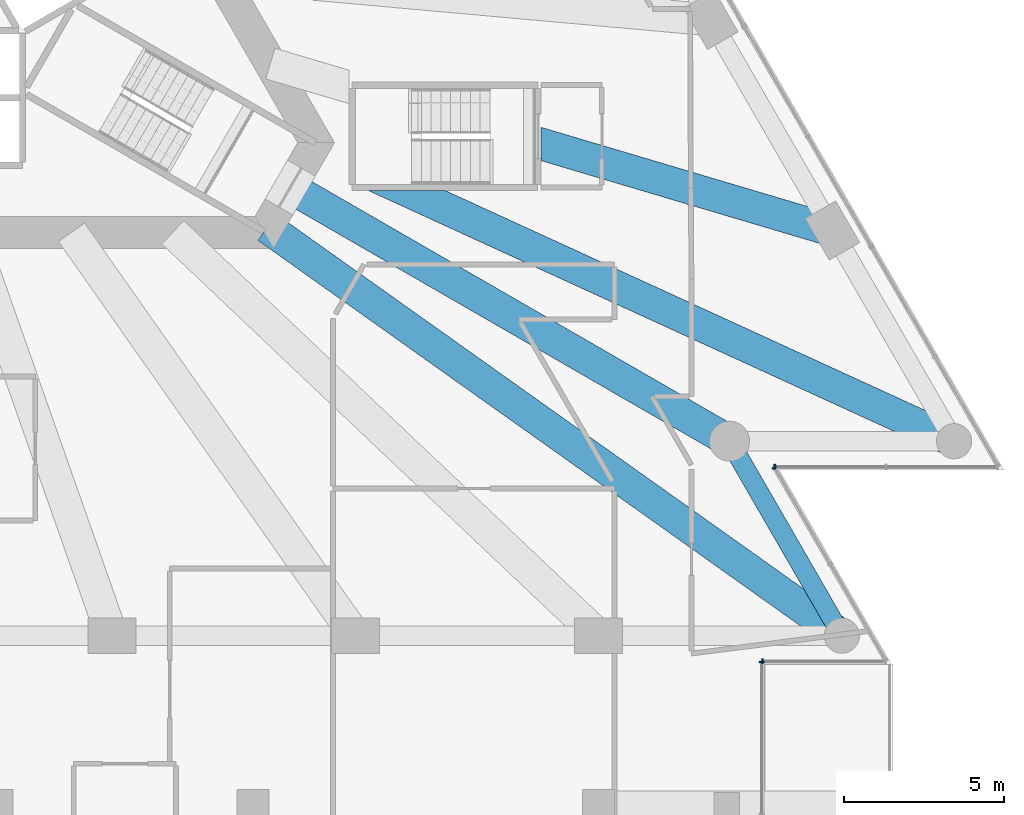
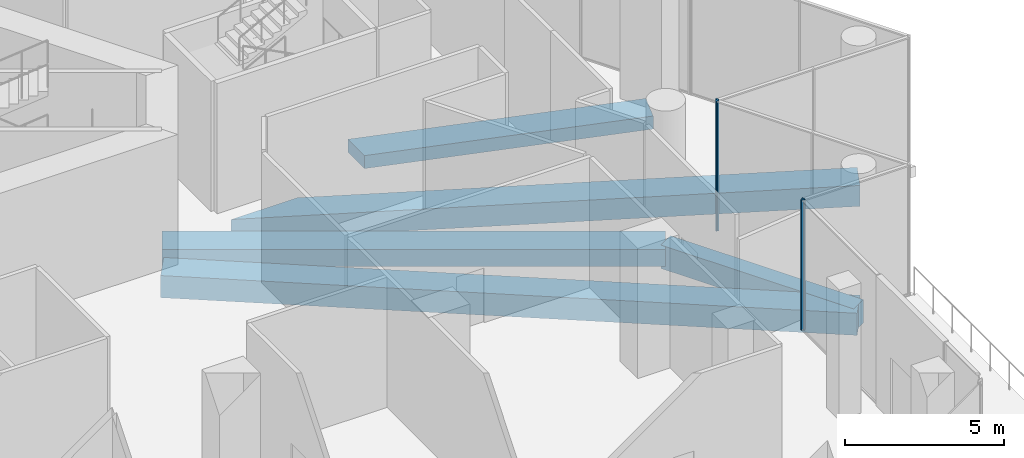
# One storey, part 9 of 29: 5 beams, 4 members, 4 elements without a shape of their own.
"""IFC4 building model written with IfcOpenShell, lengths in metres."""

import ifcopenshell
import ifcopenshell.guid

model = None  # the IFC model being written
_history = None  # IfcOwnerHistory: only IFC2X3 demands one
_inside = {}  # id of a spatial element -> (the spatial element, [elements in it])
_under = {}  # id of a project, library or spatial element -> (it, [spatial elements below it])
_declared = {}  # id of a project -> (the project, [libraries it declares])
_typed = {}  # id of a type object -> (the type object, [elements of that type])
_made_of = {}  # id of a material, layer set ... -> (it, [elements and type objects made of it])


def new_model(schema):
    """Start an empty IFC model of exactly this schema.

    Asked for "IFC4X3", IfcOpenShell would pick the latest addendum, in which some entities
    have other attributes; the version numbers below select the first issue.
    IFC2X3 requires an IfcOwnerHistory on every rooted entity: one is made here for all.
    """
    global model, _history
    if schema == "IFC4X3":
        model = ifcopenshell.file(schema_version=(4, 3, 0, 0))
    else:
        model = ifcopenshell.file(schema=schema)
    _inside.clear()
    _under.clear()
    _declared.clear()
    _typed.clear()
    _made_of.clear()
    _history = None
    if model.schema == "IFC2X3":
        org = make("IfcOrganization", Name="unknown")
        user = make(
            "IfcPersonAndOrganization",
            ThePerson=make("IfcPerson", FamilyName="unknown"),
            TheOrganization=org,
        )
        app = make(
            "IfcApplication",
            ApplicationDeveloper=org,
            Version="unknown",
            ApplicationFullName="unknown",
            ApplicationIdentifier="unknown",
        )
        _history = make(
            "IfcOwnerHistory",
            OwningUser=user,
            OwningApplication=app,
            ChangeAction="ADDED",
            CreationDate=0,
        )
    return model


def make(cls, **values):
    """One entity of the class cls with the attributes given. An attribute that is None is left unset."""
    return model.create_entity(
        cls, **{name: value for name, value in values.items() if value is not None}
    )


def rooted(cls, **values):
    """An entity with a GlobalId (a new one), such as an element, a storey or a relation."""
    return make(cls, GlobalId=ifcopenshell.guid.new(), OwnerHistory=_history, **values)


def si_unit(unit_type, name, prefix=None):
    """IfcSIUnit, for example si_unit("LENGTHUNIT", "METRE", prefix="MILLI")."""
    return make("IfcSIUnit", UnitType=unit_type, Prefix=prefix, Name=name)


def assignment(units):
    """IfcUnitAssignment: the units of a project."""
    return None if units is None else make("IfcUnitAssignment", Units=units)


def point(xyz):
    """IfcCartesianPoint."""
    return None if xyz is None else make("IfcCartesianPoint", Coordinates=xyz)


def direction(xyz):
    """IfcDirection."""
    return None if xyz is None else make("IfcDirection", DirectionRatios=xyz)


def frame(location, z_axis=None, x_axis=None):
    """IfcAxis2Placement3D, a coordinate frame: its origin and axes. An axis left out is left unset."""
    return make(
        "IfcAxis2Placement3D",
        Location=point(location),
        Axis=direction(z_axis),
        RefDirection=direction(x_axis),
    )


def frame_2d(location, x_axis=None):
    """IfcAxis2Placement2D, a coordinate frame in the plane: its origin and x axis."""
    return make(
        "IfcAxis2Placement2D", Location=point(location), RefDirection=direction(x_axis)
    )


def origin():
    """The frame at (0, 0, 0) with its axes left unset."""
    return frame((0.0, 0.0, 0.0))


def origin_2d():
    """The frame at (0, 0) in the plane with its x axis left unset."""
    return frame_2d((0.0, 0.0))


def place(relative_to, where):
    """IfcLocalPlacement: puts the frame where relative to a parent placement (None: the world)."""
    return make(
        "IfcLocalPlacement", PlacementRelTo=relative_to, RelativePlacement=where
    )


def context(
    kind, dimensions, precision=None, world=None, true_north=None, identifier=None
):
    """IfcGeometricRepresentationContext, for example the 3D "Model" context."""
    return make(
        "IfcGeometricRepresentationContext",
        ContextIdentifier=identifier,
        ContextType=kind,
        CoordinateSpaceDimension=dimensions,
        Precision=precision,
        WorldCoordinateSystem=world,
        TrueNorth=true_north,
    )


def subcontext(parent, identifier, kind, view, scale=None):
    """IfcGeometricRepresentationSubContext, for example "Body" below "Model"."""
    return make(
        "IfcGeometricRepresentationSubContext",
        ContextIdentifier=identifier,
        ContextType=kind,
        ParentContext=parent,
        TargetScale=scale,
        TargetView=view,
    )


def project(units=None, contexts=None):
    """IfcProject with its units and contexts."""
    return rooted(
        "IfcProject",
        Name="project",
        RepresentationContexts=contexts,
        UnitsInContext=assignment(units),
    )


def spatial(cls, under=None, at=None, **own):
    """A site, building, storey or space (cls), placed at a placement, below another one or the project."""
    s = rooted(cls, ObjectPlacement=at, **own)
    if under is not None:
        _under.setdefault(under.id(), (under, []))[1].append(s)
    return s


def profile(cls, at=None, kind="AREA", **sizes):
    """A parametric profile (cls). Its sizes go by their IFC names, for example OverallWidth=200.0."""
    return make(cls, ProfileType=kind, Position=at, **sizes)


def rectangle(**sizes):
    """IfcRectangleProfileDef."""
    return profile("IfcRectangleProfileDef", **sizes)


def extrude(swept, where, along, depth):
    """IfcExtrudedAreaSolid: the profile swept, set in the frame where, extruded along a direction by depth."""
    return make(
        "IfcExtrudedAreaSolid",
        SweptArea=swept,
        Position=where,
        ExtrudedDirection=direction(along),
        Depth=depth,
    )


def clip(a, b, op="DIFFERENCE"):
    """IfcBooleanClippingResult: the solid a cut by the half space b."""
    return make(
        "IfcBooleanClippingResult", Operator=op, FirstOperand=a, SecondOperand=b
    )


def halfspace(plane, agree):
    """IfcHalfSpaceSolid: all space on one side of the plane z = 0 of the frame plane."""
    return make(
        "IfcHalfSpaceSolid",
        BaseSurface=make("IfcPlane", Position=plane),
        AgreementFlag=agree,
    )


def shape(context_of_items, identifier, shape_type, items):
    """IfcShapeRepresentation: the items that make up one representation, for example the "Body"."""
    return make(
        "IfcShapeRepresentation",
        ContextOfItems=context_of_items,
        RepresentationIdentifier=identifier,
        RepresentationType=shape_type,
        Items=items,
    )


def material(Name=None, Category=None):
    """IfcMaterial."""
    return make("IfcMaterial", Name=Name, Category=Category)


def layer(
    of_material, thickness, ventilated=None, Name=None, Category=None, Priority=None
):
    """IfcMaterialLayer: one layer of a wall or slab, of a material (None: an air gap)."""
    return make(
        "IfcMaterialLayer",
        Material=of_material,
        LayerThickness=thickness,
        IsVentilated=ventilated,
        Name=Name,
        Category=Category,
        Priority=Priority,
    )


def layer_set(layers, Name=None):
    """IfcMaterialLayerSet."""
    return make("IfcMaterialLayerSet", MaterialLayers=layers, LayerSetName=Name)


def material_profile(
    of_material, cross_section, Name=None, Category=None, Priority=None
):
    """IfcMaterialProfile: a cross section and its material."""
    return make(
        "IfcMaterialProfile",
        Name=Name,
        Material=of_material,
        Profile=cross_section,
        Priority=Priority,
        Category=Category,
    )


def profile_set(profiles, Name=None, composite=None):
    """IfcMaterialProfileSet."""
    return make(
        "IfcMaterialProfileSet",
        Name=Name,
        MaterialProfiles=profiles,
        CompositeProfile=composite,
    )


def made_of(thing, what):
    """Note that an element or type object is made of a material, layer set ...; save() writes the relation."""
    if what is not None:
        _made_of.setdefault(what.id(), (what, []))[1].append(thing)
    return thing


def type_object(cls, material=None, **own):
    """A type object (cls), such as IfcWallType, which elements share."""
    return made_of(rooted(cls, **own), material)


def element(
    cls,
    number,
    at=None,
    inside=None,
    cuts=None,
    type_object=None,
    material=None,
    context=None,
    identifier="Body",
    shape_type=None,
    held_by="IfcProductDefinitionShape",
    body=None,
    shapes=None,
    **own,
):
    """One element of the class cls, such as IfcWall. Its Tag is "e" and its number.

    at: its placement. inside: the storey or other place that contains it. cuts: it is an
    opening in that element (IfcRelVoidsElement). A single representation is given by context,
    identifier, shape_type and body (its items); several are given by shapes. held_by: the class
    of the entity that holds the representations. save() writes the other relations.
    """
    e = rooted(cls, Tag="e%d" % number, ObjectPlacement=at, **own)
    if body is not None:
        shapes = [shape(context, identifier, shape_type, body)]
    if shapes is not None:
        e.Representation = make(held_by, Representations=shapes)
    if inside is not None:
        _inside.setdefault(inside.id(), (inside, []))[1].append(e)
    if cuts is not None:
        rooted(
            "IfcRelVoidsElement", RelatingBuildingElement=cuts, RelatedOpeningElement=e
        )
    if type_object is not None:
        _typed.setdefault(type_object.id(), (type_object, []))[1].append(e)
    return made_of(e, material)


def aggregate(whole, parts):
    """IfcRelAggregates: a whole, such as a stair, and the parts it consists of."""
    return rooted("IfcRelAggregates", RelatingObject=whole, RelatedObjects=parts)


def save(model, path):
    """Write the relations noted so far, then the file.

    IfcRelAggregates (storeys below a building ...), IfcRelContainedInSpatialStructure (elements
    in a storey), IfcRelDefinesByType, IfcRelAssociatesMaterial and IfcRelDeclares: one each for
    every whole, place, type object, material and project.
    """
    for whole, parts in _under.values():
        aggregate(whole, parts)
    for where, things in _inside.values():
        rooted(
            "IfcRelContainedInSpatialStructure",
            RelatedElements=things,
            RelatingStructure=where,
        )
    for kind, things in _typed.values():
        rooted("IfcRelDefinesByType", RelatedObjects=things, RelatingType=kind)
    for what, things in _made_of.values():
        rooted("IfcRelAssociatesMaterial", RelatedObjects=things, RelatingMaterial=what)
    for by, libraries in _declared.values():
        rooted("IfcRelDeclares", RelatingContext=by, RelatedDefinitions=libraries)
    model.write(path)


model = new_model("IFC4")

# Units and contexts
model_context = context("Model", 3, precision=1e-05, world=origin(), true_north=direction((0.0, 1.0)))
body_context = subcontext(model_context, "Body", "Model", "MODEL_VIEW")
ifc_project = project(units=[si_unit("LENGTHUNIT", "METRE"), si_unit("AREAUNIT", "SQUARE_METRE"), si_unit("VOLUMEUNIT", "CUBIC_METRE"), si_unit("PLANEANGLEUNIT", "RADIAN"), si_unit("MASSUNIT", "GRAM", prefix="KILO")], contexts=[model_context])

# Site, building, storey
site_placement = place(None, origin())
site = spatial("IfcSite", under=ifc_project, at=site_placement, CompositionType="ELEMENT")
building_placement = place(site_placement, origin())
building = spatial("IfcBuilding", under=site, at=building_placement, Name="Triada Interchange Tower", CompositionType="ELEMENT")
storey_placement = place(building_placement, frame((0.0, 0.0, 19.89990234375)))
storey = spatial("IfcBuildingStorey", under=building, at=storey_placement, Name="L03", CompositionType="ELEMENT", Elevation=19.89990234375)

# Curtain wall, member
ifc_material_1 = material(Name="Aluminium framed glazing", Category="aluminium")
ifc_layer = layer(ifc_material_1, 0.199951171875)
ifc_layer_set = layer_set([ifc_layer], Name="Curtain wall Retail shopfront")
curtain_wall_type = type_object("IfcCurtainWallType", Name="Curtain wall Retail shopfront", PredefinedType="NOTDEFINED", material=ifc_layer_set)
curtain_wall_1_placement = place(storey_placement, origin())
curtain_wall_1 = element("IfcCurtainWall", 1, at=curtain_wall_1_placement, inside=storey, type_object=curtain_wall_type, Name="Retail shopfront CW009 L03", PredefinedType="NOTDEFINED")
ifc_material_2 = material(Name="Aluminium", Category="aluminium")
ifc_material_profile_1 = material_profile(ifc_material_2, rectangle(XDim=0.14990234375, YDim=0.050048828125, at=origin_2d()), Name="Aluminium mullion")
ifc_profile_set_1 = profile_set([ifc_material_profile_1], Name="Aluminium")
member_type = type_object("IfcMemberType", Name="Mullion Retail shopfront 150x50", PredefinedType="MULLION", material=ifc_profile_set_1)
member_1_placement = place(storey_placement, frame((27.89990234375, -22.425048828125, 0.0), z_axis=(0.0, 0.0, 1.0), x_axis=(-1.0, 0.0, 0.0)))
member_1 = element("IfcMember", 2, at=member_1_placement, type_object=member_type, Name="CW009 mullion 2", PredefinedType="MULLION", context=body_context, shape_type="SweptSolid", body=[
    extrude(rectangle(XDim=0.14990234375, YDim=0.050048828125, at=origin_2d()), origin(), (0.0, 0.0, 1.0), 5.0),
])
aggregate(curtain_wall_1, [member_1])

curtain_wall_2_placement = place(storey_placement, origin())
curtain_wall_2 = element("IfcCurtainWall", 3, at=curtain_wall_2_placement, inside=storey, type_object=curtain_wall_type, Name="Retail shopfront CW010 L03", PredefinedType="NOTDEFINED")
member_2_placement = place(storey_placement, frame((27.925048828125, -22.39990234375, 0.0), z_axis=(0.0, 0.0, 1.0), x_axis=(0.0, 1.0, 0.0)))
member_2 = element("IfcMember", 4, at=member_2_placement, type_object=member_type, Name="CW010 mullion 1", PredefinedType="MULLION", context=body_context, shape_type="SweptSolid", body=[
    extrude(rectangle(XDim=0.14990234375, YDim=0.050048828125, at=origin_2d()), origin(), (0.0, 0.0, 1.0), 5.0),
])
aggregate(curtain_wall_2, [member_2])

curtain_wall_3_placement = place(storey_placement, origin())
curtain_wall_3 = element("IfcCurtainWall", 5, at=curtain_wall_3_placement, inside=storey, type_object=curtain_wall_type, Name="Retail shopfront CW011 L03", PredefinedType="NOTDEFINED")
member_3_placement = place(storey_placement, frame((28.28857421875, -16.3466796875, 0.0), z_axis=(0.0, 0.0, 1.0), x_axis=(-0.866050272896, -0.499956922962, 0.0)))
member_3 = element("IfcMember", 6, at=member_3_placement, type_object=member_type, Name="CW011 mullion 3", PredefinedType="MULLION", context=body_context, shape_type="SweptSolid", body=[
    extrude(rectangle(XDim=0.14990234375, YDim=0.050048828125, at=origin_2d()), origin(), (0.0, 0.0, 1.0), 5.0),
])
aggregate(curtain_wall_3, [member_3])

curtain_wall_4_placement = place(storey_placement, origin())
curtain_wall_4 = element("IfcCurtainWall", 7, at=curtain_wall_4_placement, inside=storey, type_object=curtain_wall_type, Name="Retail shopfront CW012 L03", PredefinedType="NOTDEFINED")
member_4_placement = place(storey_placement, frame((28.301025390625, -16.324951171875, 0.0), z_axis=(0.0, 0.0, 1.0), x_axis=(0.0, 1.0, 0.0)))
member_4 = element("IfcMember", 8, at=member_4_placement, type_object=member_type, Name="CW012 mullion 1", PredefinedType="MULLION", context=body_context, shape_type="SweptSolid", body=[
    extrude(rectangle(XDim=0.14990234375, YDim=0.050048828125, at=origin_2d()), origin(), (0.0, 0.0, 1.0), 5.0),
])
aggregate(curtain_wall_4, [member_4])

# Beams
ifc_material_3 = material(Name="Concrete C50/60", Category="concrete")
ifc_material_profile_2 = material_profile(ifc_material_3, rectangle(XDim=1.0, YDim=0.5, at=origin_2d()), Name="RC 1000x500")
ifc_profile_set_2 = profile_set([ifc_material_profile_2], Name="Concrete C50/60")
beam_type_1 = type_object("IfcBeamType", Name="Radial band beam P RC 1000x500", PredefinedType="BEAM", material=ifc_profile_set_2)
beam_1_placement = place(storey_placement, frame((30.10498046875, -8.944091796875, -0.64990234375), z_axis=(-0.958593857604, 0.284776783049, 0.0), x_axis=(-0.284776783049, -0.958593857604, 0.0)))
element("IfcBeam", 9, at=beam_1_placement, inside=storey, type_object=beam_type_1, Name="Radial band beam BP22A L03", PredefinedType="BEAM", context=body_context, shape_type="Clipping", body=[
    clip(extrude(rectangle(XDim=1.0, YDim=0.5, at=origin_2d()), origin(), (0.0, 0.0, 1.0), 10.998291015625), halfspace(frame((-1.85888671875, -19.25, 10.050537109375), z_axis=(0.284776783049, 0.0, 0.958593857604), x_axis=(0.0, -1.0, 0.0)), False)),
])
ifc_material_profile_3 = material_profile(ifc_material_3, rectangle(XDim=1.0, YDim=0.64990234375, at=origin_2d()), Name="RC 1000x650")
ifc_profile_set_3 = profile_set([ifc_material_profile_3], Name="Concrete C50/60")
beam_type_2 = type_object("IfcBeamType", Name="Radial band beam P RC 1000x650", PredefinedType="BEAM", material=ifc_profile_set_3)
beam_2_placement = place(storey_placement, frame((26.889892578125, -15.52490234375, -0.724853515625), z_axis=(-0.866020130944, 0.500009132716, 0.0), x_axis=(-0.500009132716, -0.866020130944, 0.0)))
element("IfcBeam", 10, at=beam_2_placement, inside=storey, type_object=beam_type_2, Name="Radial band beam BP20 L03", PredefinedType="BEAM", context=body_context, shape_type="SweptSolid", body=[
    extrude(rectangle(XDim=1.0, YDim=0.64990234375, at=origin_2d()), origin(), (0.0, 0.0, 1.0), 15.849365234375),
])
ifc_material_profile_4 = material_profile(ifc_material_3, rectangle(XDim=1.0, YDim=0.800048828125, at=origin_2d()), Name="RC 1000x800")
ifc_profile_set_4 = profile_set([ifc_material_profile_4], Name="Concrete C50/60")
beam_type_3 = type_object("IfcBeamType", Name="Radial band beam P RC 1000x800", PredefinedType="BEAM", material=ifc_profile_set_4)
beam_3_placement = place(storey_placement, frame((33.905029296875, -15.52490234375, -0.7998046875), z_axis=(-0.909200707798, 0.41635810661, 0.0), x_axis=(-0.41635810661, -0.909200707798, 0.0)))
element("IfcBeam", 11, at=beam_3_placement, inside=storey, type_object=beam_type_3, Name="Radial band beam BP21A L03", PredefinedType="BEAM", context=body_context, shape_type="Clipping", body=[
    clip(extrude(rectangle(XDim=1.0, YDim=0.800048828125, at=origin_2d()), origin(), (0.0, 0.0, 1.0), 20.294921875), halfspace(frame((-1.741455078125, -19.10009765625, 14.9912109375), z_axis=(-0.909200707798, 0.0, 0.41635810661), x_axis=(0.0, 1.0, 0.0)), False)),
])
ifc_material_profile_5 = material_profile(ifc_material_3, rectangle(XDim=1.0, YDim=0.85009765625, at=origin_2d()), Name="RC 1000x850")
ifc_profile_set_5 = profile_set([ifc_material_profile_5], Name="Concrete C50/60")
beam_type_4 = type_object("IfcBeamType", Name="Radial band beam P RC 1000x850", PredefinedType="BEAM", material=ifc_profile_set_5)
beam_4_placement = place(storey_placement, frame((30.39697265625, -21.60009765625, -0.824951171875), z_axis=(-0.815163189691, 0.579231364977, 0.0), x_axis=(-0.579231364977, -0.815163189691, 0.0)))
element("IfcBeam", 12, at=beam_4_placement, inside=storey, type_object=beam_type_4, Name="Radial band beam BP19 L03", PredefinedType="BEAM", context=body_context, shape_type="SweptSolid", body=[
    extrude(rectangle(XDim=1.0, YDim=0.85009765625, at=origin_2d()), origin(), (0.0, 0.0, 1.0), 22.0224609375),
])
ifc_material_profile_6 = material_profile(ifc_material_3, rectangle(XDim=0.60009765625, YDim=0.89990234375, at=origin_2d()), Name="RC 600x900")
ifc_profile_set_6 = profile_set([ifc_material_profile_6], Name="Concrete C50/60")
beam_type_5 = type_object("IfcBeamType", Name="Spandrel beam P RC 600x900", PredefinedType="BEAM", material=ifc_profile_set_6)
beam_5_placement = place(storey_placement, frame((30.39697265625, -21.60009765625, -0.849853515625), z_axis=(-0.499953429515, 0.866052289597, 0.0), x_axis=(-0.866052289597, -0.499953429515, 0.0)))
element("IfcBeam", 13, at=beam_5_placement, inside=storey, type_object=beam_type_5, Name="Spandrel beam EP19 L03", PredefinedType="BEAM", context=body_context, shape_type="SweptSolid", body=[
    extrude(rectangle(XDim=0.60009765625, YDim=0.89990234375, at=origin_2d()), origin(), (0.0, 0.0, 1.0), 7.014892578125),
])

save(model, "model.ifc")
